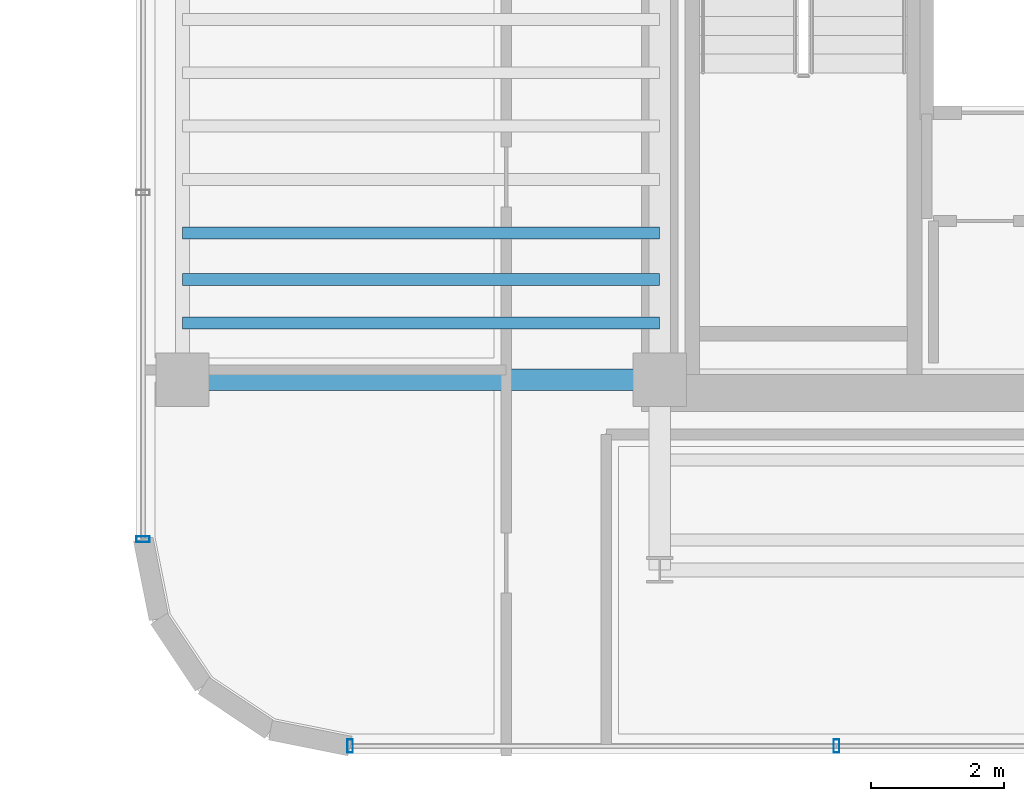
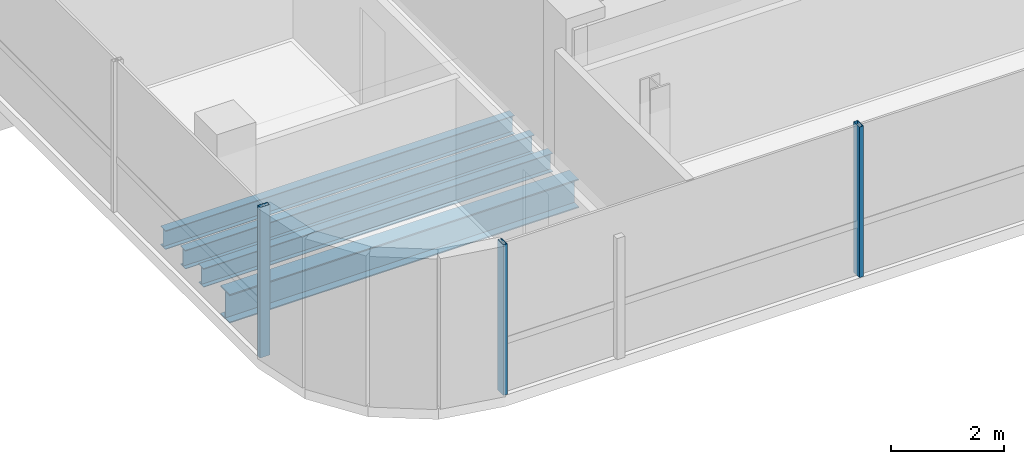
# One storey, part 2 of 20: 4 beams, 3 members, 2 elements without a shape of their own.
"""IFC4 building model written with IfcOpenShell, lengths in metres."""

from ifc_helpers import new_model, si_unit, direction, frame, origin, origin_2d, place, context, subcontext, project, spatial, hollow_rectangle, i_section, extrude, source, transform, mapped, material, material_profile, profile_set, type_object, element, aggregate, save


model = new_model("IFC4")

# Units and contexts
model_context = context("Model", 3, precision=1e-05, world=origin(), true_north=direction((0.0, 1.0)))
body_context = subcontext(model_context, "Body", "Model", "MODEL_VIEW")
ifc_project = project(units=[si_unit("LENGTHUNIT", "METRE"), si_unit("AREAUNIT", "SQUARE_METRE"), si_unit("VOLUMEUNIT", "CUBIC_METRE"), si_unit("PLANEANGLEUNIT", "RADIAN"), si_unit("MASSUNIT", "GRAM", prefix="KILO")], contexts=[model_context])

# Site, building, storey
site_placement = place(None, origin())
site = spatial("IfcSite", under=ifc_project, at=site_placement, CompositionType="ELEMENT")
building_placement = place(site_placement, origin())
building = spatial("IfcBuilding", under=site, at=building_placement, Name="Valdorenza Pilgrim Sanctuary Tower", CompositionType="ELEMENT")
storey_placement = place(building_placement, frame((0.0, 0.0, 280.0)))
storey = spatial("IfcBuildingStorey", under=building, at=storey_placement, Name="L73", CompositionType="ELEMENT", Elevation=280.0)

# Beams
ifc_material_1 = material(Name="Steel ASTM A992 Grade 50", Category="steel")
ifc_material_profile_1 = material_profile(ifc_material_1, i_section(OverallWidth=0.177978515625, OverallDepth=0.406005859375, WebThickness=0.0078125, FlangeThickness=0.0126953125, at=origin_2d()), Name="W16X40")
ifc_profile_set_1 = profile_set([ifc_material_profile_1], Name="Steel ASTM A992 Grade 50")
beam_type_1 = type_object("IfcBeamType", Name="STR-BM-JST-W16", PredefinedType="JOIST", material=ifc_profile_set_1)
shared_shape_1 = source(origin(), body_context, "Body", "SweptSolid", [
    extrude(i_section(OverallWidth=0.177978515625, OverallDepth=0.406005859375, WebThickness=0.0078125, FlangeThickness=0.0126953125, at=origin_2d()), origin(), (0.0, 0.0, 1.0), 7.150146484375),
])
for number, where, z_axis, x_axis, name in (
    (1, (-29.800048828125, -9.75, -0.443115234375), (1.0, 0.0, 0.0), (0.0, 1.0, 0.0), "L73 Composite Floor Joist JST-WA-1"),
    (2, (-29.800048828125, -9.10009765625, -0.443115234375), (1.0, 0.0, 0.0), (0.0, 1.0, 0.0), "L73 Composite Floor Joist JST-WA-2"),
    (3, (-29.800048828125, -8.39990234375, -0.443115234375), (1.0, 0.0, 0.0), (0.0, 1.0, 0.0), "L73 Composite Floor Joist JST-WA-3"),
):
    element("IfcBeam", number, at=place(storey_placement, frame(where, z_axis=z_axis, x_axis=x_axis)), inside=storey, type_object=beam_type_1, Name=name, PredefinedType="JOIST", context=body_context, shape_type="MappedRepresentation", body=[
        mapped(shared_shape_1, transform((0.0, 0.0, 0.0), x_axis=(1.0, 0.0, 0.0), y_axis=(0.0, 1.0, 0.0), z_axis=(0.0, 0.0, 1.0), scale=1.0)),
    ])
ifc_material_profile_2 = material_profile(ifc_material_1, i_section(OverallWidth=0.326904296875, OverallDepth=0.6220703125, WebThickness=0.015380859375, FlangeThickness=0.0244140625, at=origin_2d()), Name="W24X131")
ifc_profile_set_2 = profile_set([ifc_material_profile_2], Name="Steel ASTM A992 Grade 50")
beam_type_2 = type_object("IfcBeamType", Name="STR-BM-GRD-W24A", PredefinedType="BEAM", material=ifc_profile_set_2)
shared_shape_2 = source(origin(), body_context, "Body", "SweptSolid", [
    extrude(i_section(OverallWidth=0.326904296875, OverallDepth=0.6220703125, WebThickness=0.015380859375, FlangeThickness=0.0244140625, at=origin_2d()), origin(), (0.0, 0.0, 1.0), 7.150146484375),
])
beam_placement = place(storey_placement, frame((-29.800048828125, -10.60009765625, -0.551025390625), z_axis=(1.0, 0.0, 0.0), x_axis=(0.0, 1.0, 0.0)))
element("IfcBeam", 4, at=beam_placement, inside=storey, type_object=beam_type_2, Name="L73 Floor Girder WA-XW-S1", PredefinedType="BEAM", context=body_context, shape_type="MappedRepresentation", body=[
    mapped(shared_shape_2, transform((0.0, 0.0, 0.0), x_axis=(1.0, 0.0, 0.0), y_axis=(0.0, 1.0, 0.0), z_axis=(0.0, 0.0, 1.0), scale=1.0)),
])

# Curtain wall, member
ifc_material_2 = material(Name="Curtain-wall IGU glazing", Category="glass")
curtain_wall_type = type_object("IfcCurtainWallType", Name="CW-SYS-02", PredefinedType="NOTDEFINED", material=ifc_material_2)
curtain_wall_1_placement = place(storey_placement, origin())
curtain_wall_1 = element("IfcCurtainWall", 5, at=curtain_wall_1_placement, inside=storey, type_object=curtain_wall_type, Name="L73 Curtain Wall CW-L73-1-1S1", PredefinedType="NOTDEFINED")
ifc_material_3 = material(Name="Anodised aluminium AW-6060", Category="aluminium")
ifc_material_profile_3 = material_profile(ifc_material_3, hollow_rectangle(XDim=0.0849609375, YDim=0.199951171875, WallThickness=0.0048828125, at=origin_2d()), Name="ALU-M 200x85x5")
ifc_profile_set_3 = profile_set([ifc_material_profile_3], Name="Anodised aluminium AW-6060")
member_type = type_object("IfcMemberType", Name="CW-MUL-02", PredefinedType="MULLION", material=ifc_profile_set_3)
shared_shape_3 = source(origin(), body_context, "Body", "SweptSolid", [
    extrude(hollow_rectangle(XDim=0.0849609375, YDim=0.199951171875, WallThickness=0.0048828125, at=origin_2d()), origin(), (0.0, 0.0, 1.0), 3.260009765625),
])
member_1_placement = place(storey_placement, frame((-30.389892578125, -12.9892578125, 0.0), z_axis=(0.0, 0.0, 1.0), x_axis=(0.0, 1.0, 0.0)))
member_1 = element("IfcMember", 6, at=member_1_placement, type_object=member_type, Name="CW-L73-1-1S1 Mullion 1", PredefinedType="MULLION", context=body_context, shape_type="MappedRepresentation", body=[
    mapped(shared_shape_3, transform((0.0, 0.0, 0.0), x_axis=(1.0, 0.0, 0.0), y_axis=(0.0, 1.0, 0.0), z_axis=(0.0, 0.0, 1.0), scale=1.0)),
])
aggregate(curtain_wall_1, [member_1])

# Curtain wall, members
curtain_wall_2_placement = place(storey_placement, origin())
curtain_wall_2 = element("IfcCurtainWall", 7, at=curtain_wall_2_placement, inside=storey, type_object=curtain_wall_type, Name="L73 Curtain Wall CW-L73-1-26", PredefinedType="NOTDEFINED")
member_2_placement = place(storey_placement, frame((-20.0, -16.090087890625, 0.0), z_axis=(0.0, 0.0, 1.0), x_axis=(-1.0, 0.0, 0.0)))
member_2 = element("IfcMember", 8, at=member_2_placement, type_object=member_type, Name="CW-L73-1-26 Mullion 2", PredefinedType="MULLION", context=body_context, shape_type="MappedRepresentation", body=[
    mapped(shared_shape_3, transform((0.0, 0.0, 0.0), x_axis=(1.0, 0.0, 0.0), y_axis=(0.0, 1.0, 0.0), z_axis=(0.0, 0.0, 1.0), scale=1.0)),
])
member_3_placement = place(storey_placement, frame((-27.289306640625, -16.090087890625, 0.0), z_axis=(0.0, 0.0, 1.0), x_axis=(-1.0, 0.0, 0.0)))
member_3 = element("IfcMember", 9, at=member_3_placement, type_object=member_type, Name="CW-L73-1-26 Mullion 3", PredefinedType="MULLION", context=body_context, shape_type="MappedRepresentation", body=[
    mapped(shared_shape_3, transform((0.0, 0.0, 0.0), x_axis=(1.0, 0.0, 0.0), y_axis=(0.0, 1.0, 0.0), z_axis=(0.0, 0.0, 1.0), scale=1.0)),
])
aggregate(curtain_wall_2, [member_2, member_3])

save(model, "model.ifc")
